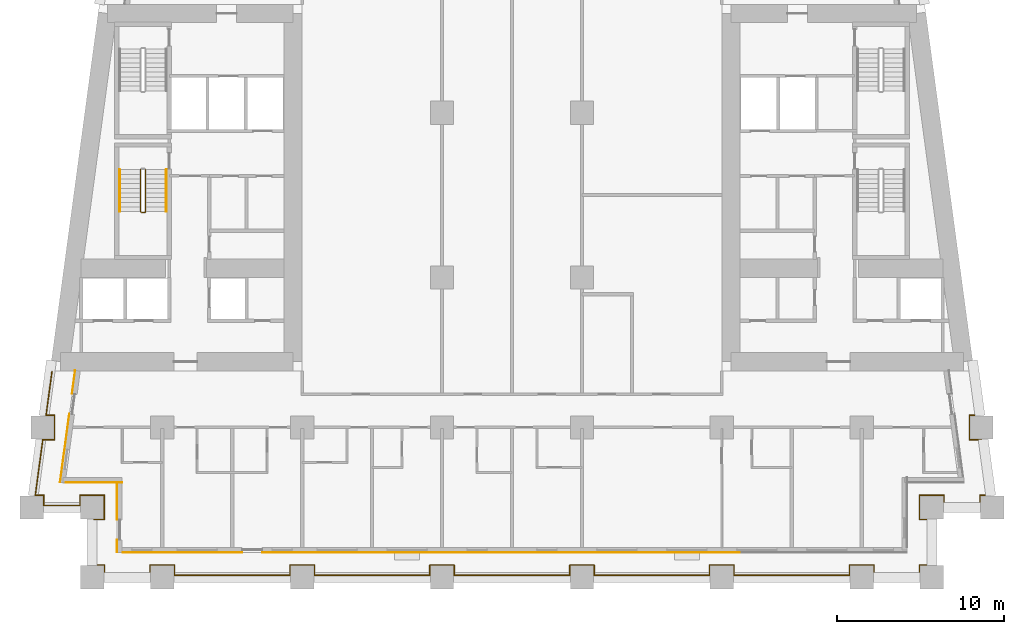
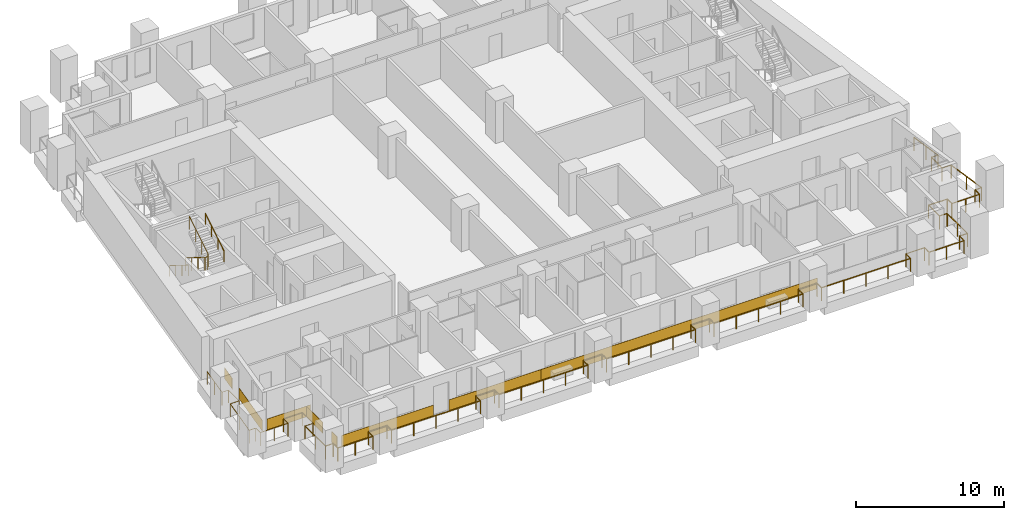
# One storey, part 9 of 13: 8 coverings, 5 railings.
"""IFC4 building model written with IfcOpenShell, lengths in metres."""

from ifc_helpers import new_model, si_unit, direction, frame, origin, origin_2d, place, context, subcontext, project, spatial, rectangle, circle, extrude, material, layer, layer_set, type_object, element, save


model = new_model("IFC4")

# Units and contexts
model_context = context("Model", 3, precision=1e-05, world=origin(), true_north=direction((0.0, 1.0)))
body_context = subcontext(model_context, "Body", "Model", "MODEL_VIEW")
ifc_project = project(units=[si_unit("LENGTHUNIT", "METRE"), si_unit("AREAUNIT", "SQUARE_METRE"), si_unit("VOLUMEUNIT", "CUBIC_METRE"), si_unit("PLANEANGLEUNIT", "RADIAN"), si_unit("MASSUNIT", "GRAM", prefix="KILO")], contexts=[model_context])

# Site, building, storey
site_placement = place(None, origin())
site = spatial("IfcSite", under=ifc_project, at=site_placement, CompositionType="ELEMENT")
building_placement = place(site_placement, origin())
building = spatial("IfcBuilding", under=site, at=building_placement, Name="Candeia Pilgrim Tower and Theatre", CompositionType="ELEMENT")
storey_placement = place(building_placement, frame((0.0, 0.0, 70.5)))
storey = spatial("IfcBuildingStorey", under=building, at=storey_placement, Name="L15", CompositionType="ELEMENT", Elevation=70.5)

# Railings
ifc_material_1 = material(Name="Stainless steel balustrade", Category="steel")
railing_type_1 = type_object("IfcRailingType", Name="G1 loggia guard 1100", PredefinedType="GUARDRAIL", material=ifc_material_1)
railing_1_placement = place(storey_placement, frame((88.320068359375, 101.469970703125, 0.0)))
element("IfcRailing", 1, at=railing_1_placement, inside=storey, type_object=railing_type_1, Name="Guard L15.1", PredefinedType="GUARDRAIL", context=body_context, shape_type="SweptSolid", body=[
    extrude(circle(Radius=0.02392578125, at=origin_2d()), frame((0.0, 0.0, 1.076171875), z_axis=(1.0, 0.0, 0.0), x_axis=(0.0, 1.0, 0.0)), (0.0, 0.0, 1.0), 0.60986328125),
    extrude(circle(Radius=0.02392578125, at=origin_2d()), frame((0.60986328125, 0.0, 1.076171875), z_axis=(0.0, 1.0, 0.0), x_axis=(-1.0, 0.0, 0.0)), (0.0, 0.0, 1.0), 1.4599609375),
    extrude(circle(Radius=0.02392578125, at=origin_2d()), frame((0.60986328125, 1.4599609375, 1.076171875), z_axis=(-1.0, 0.0, 0.0), x_axis=(0.0, -1.0, 0.0)), (0.0, 0.0, 1.0), 1.4599609375),
    extrude(circle(Radius=0.02392578125, at=origin_2d()), frame((-0.85009765625, 1.4599609375, 1.076171875), z_axis=(0.0, -1.0, 0.0), x_axis=(1.0, 0.0, 0.0)), (0.0, 0.0, 1.0), 0.60986328125),
    extrude(circle(Radius=0.02392578125, at=origin_2d()), frame((-0.85009765625, 0.85009765625, 1.076171875), z_axis=(-1.0, 0.0, 0.0), x_axis=(0.0, -1.0, 0.0)), (0.0, 0.0, 1.0), 2.174560546875),
    extrude(circle(Radius=0.02392578125, at=origin_2d()), frame((-3.024658203125, 0.85009765625, 1.076171875), z_axis=(0.0, 1.0, 0.0), x_axis=(-1.0, 0.0, 0.0)), (0.0, 0.0, 1.0), 0.60986328125),
    extrude(circle(Radius=0.02392578125, at=origin_2d()), frame((-3.024658203125, 1.4599609375, 1.076171875), z_axis=(-1.0, 0.0, 0.0), x_axis=(0.0, -1.0, 0.0)), (0.0, 0.0, 1.0), 0.5107421875),
    extrude(circle(Radius=0.02392578125, at=origin_2d()), frame((-3.535400390625, 1.4599609375, 1.076171875), z_axis=(0.133435273035, 0.991057530071, 0.0), x_axis=(-0.991057530071, 0.133435273035, 0.0)), (0.0, 0.0, 1.0), 3.3701171875),
    extrude(circle(Radius=0.02392578125, at=origin_2d()), frame((-3.085693359375, 4.800048828125, 1.076171875), z_axis=(1.0, 0.0, 0.0), x_axis=(0.0, 1.0, 0.0)), (0.0, 0.0, 1.0), 0.707275390625),
    extrude(circle(Radius=0.02392578125, at=origin_2d()), frame((-2.37841796875, 4.800048828125, 1.076171875), z_axis=(0.0, 1.0, 0.0), x_axis=(-1.0, 0.0, 0.0)), (0.0, 0.0, 1.0), 1.4599609375),
    extrude(circle(Radius=0.02392578125, at=origin_2d()), frame((-2.37841796875, 6.260009765625, 1.076171875), z_axis=(-1.0, 0.0, 0.0), x_axis=(0.0, -1.0, 0.0)), (0.0, 0.0, 1.0), 0.5107421875),
    extrude(circle(Radius=0.02392578125, at=origin_2d()), frame((-2.88916015625, 6.260009765625, 1.076171875), z_axis=(0.133439920495, 0.991056904329, 0.0), x_axis=(-0.991056904329, 0.133439920495, 0.0)), (0.0, 0.0, 1.0), 2.643798828125),
    extrude(circle(Radius=0.02099609375, at=origin_2d()), origin(), (0.0, 0.0, 1.0), 1.052001953125),
    extrude(circle(Radius=0.02099609375, at=origin_2d()), frame((0.60986328125, 0.0, 0.0)), (0.0, 0.0, 1.0), 1.052001953125),
    extrude(circle(Radius=0.02099609375, at=origin_2d()), frame((0.60986328125, 1.4599609375, 0.0)), (0.0, 0.0, 1.0), 1.052001953125),
    extrude(circle(Radius=0.02099609375, at=origin_2d()), frame((-0.85009765625, 1.4599609375, 0.0)), (0.0, 0.0, 1.0), 1.052001953125),
    extrude(circle(Radius=0.02099609375, at=origin_2d()), frame((-0.85009765625, 0.85009765625, 0.0)), (0.0, 0.0, 1.0), 1.052001953125),
    extrude(circle(Radius=0.02099609375, at=origin_2d()), frame((-1.9375, 0.85009765625, 0.0)), (0.0, 0.0, 1.0), 1.052001953125),
    extrude(circle(Radius=0.02099609375, at=origin_2d()), frame((-3.024658203125, 0.85009765625, 0.0)), (0.0, 0.0, 1.0), 1.052001953125),
    extrude(circle(Radius=0.02099609375, at=origin_2d()), frame((-3.024658203125, 1.4599609375, 0.0)), (0.0, 0.0, 1.0), 1.052001953125),
    extrude(circle(Radius=0.02099609375, at=origin_2d()), frame((-3.535400390625, 1.4599609375, 0.0)), (0.0, 0.0, 1.0), 1.052001953125),
    extrude(circle(Radius=0.02099609375, at=origin_2d()), frame((-3.310546875, 3.1298828125, 0.0)), (0.0, 0.0, 1.0), 1.052001953125),
    extrude(circle(Radius=0.02099609375, at=origin_2d()), frame((-3.085693359375, 4.800048828125, 0.0)), (0.0, 0.0, 1.0), 1.052001953125),
    extrude(circle(Radius=0.02099609375, at=origin_2d()), frame((-2.37841796875, 4.800048828125, 0.0)), (0.0, 0.0, 1.0), 1.052001953125),
    extrude(circle(Radius=0.02099609375, at=origin_2d()), frame((-2.37841796875, 6.260009765625, 0.0)), (0.0, 0.0, 1.0), 1.052001953125),
    extrude(circle(Radius=0.02099609375, at=origin_2d()), frame((-2.88916015625, 6.260009765625, 0.0)), (0.0, 0.0, 1.0), 1.052001953125),
    extrude(circle(Radius=0.02099609375, at=origin_2d()), frame((-2.712890625, 7.570068359375, 0.0)), (0.0, 0.0, 1.0), 1.052001953125),
    extrude(circle(Radius=0.02099609375, at=origin_2d()), frame((-2.536376953125, 8.880126953125, 0.0)), (0.0, 0.0, 1.0), 1.052001953125),
])
railing_2_placement = place(storey_placement, frame((141.016357421875, 110.35009765625, 0.0)))
element("IfcRailing", 2, at=railing_2_placement, inside=storey, type_object=railing_type_1, Name="Guard L15.4", PredefinedType="GUARDRAIL", context=body_context, shape_type="SweptSolid", body=[
    extrude(circle(Radius=0.02392578125, at=origin_2d()), frame((0.0, 0.0, 1.076171875), z_axis=(0.133439920495, -0.991056904329, 0.0), x_axis=(0.991056904329, 0.133439920495, 0.0)), (0.0, 0.0, 1.0), 2.643798828125),
    extrude(circle(Radius=0.02392578125, at=origin_2d()), frame((0.352783203125, -2.6201171875, 1.076171875), z_axis=(-1.0, 0.0, 0.0), x_axis=(0.0, -1.0, 0.0)), (0.0, 0.0, 1.0), 0.5107421875),
    extrude(circle(Radius=0.02392578125, at=origin_2d()), frame((-0.157958984375, -2.6201171875, 1.076171875), z_axis=(0.0, -1.0, 0.0), x_axis=(1.0, 0.0, 0.0)), (0.0, 0.0, 1.0), 1.4599609375),
    extrude(circle(Radius=0.02392578125, at=origin_2d()), frame((-0.157958984375, -4.080078125, 1.076171875), z_axis=(1.0, 0.0, 0.0), x_axis=(0.0, 1.0, 0.0)), (0.0, 0.0, 1.0), 0.707275390625),
    extrude(circle(Radius=0.02392578125, at=origin_2d()), frame((0.54931640625, -4.080078125, 1.076171875), z_axis=(0.133435273035, -0.991057530071, 0.0), x_axis=(0.991057530071, 0.133435273035, 0.0)), (0.0, 0.0, 1.0), 3.3701171875),
    extrude(circle(Radius=0.02392578125, at=origin_2d()), frame((0.9990234375, -7.420166015625, 1.076171875), z_axis=(-1.0, 0.0, 0.0), x_axis=(0.0, -1.0, 0.0)), (0.0, 0.0, 1.0), 0.5107421875),
    extrude(circle(Radius=0.02392578125, at=origin_2d()), frame((0.48828125, -7.420166015625, 1.076171875), z_axis=(0.0, -1.0, 0.0), x_axis=(1.0, 0.0, 0.0)), (0.0, 0.0, 1.0), 0.60986328125),
    extrude(circle(Radius=0.02392578125, at=origin_2d()), frame((0.48828125, -8.030029296875, 1.076171875), z_axis=(-1.0, 0.0, 0.0), x_axis=(0.0, -1.0, 0.0)), (0.0, 0.0, 1.0), 2.174560546875),
    extrude(circle(Radius=0.02392578125, at=origin_2d()), frame((-1.686279296875, -8.030029296875, 1.076171875), z_axis=(0.0, 1.0, 0.0), x_axis=(-1.0, 0.0, 0.0)), (0.0, 0.0, 1.0), 0.60986328125),
    extrude(circle(Radius=0.02392578125, at=origin_2d()), frame((-1.686279296875, -7.420166015625, 1.076171875), z_axis=(-1.0, 0.0, 0.0), x_axis=(0.0, -1.0, 0.0)), (0.0, 0.0, 1.0), 1.4599609375),
    extrude(circle(Radius=0.02392578125, at=origin_2d()), frame((-3.146240234375, -7.420166015625, 1.076171875), z_axis=(0.0, -1.0, 0.0), x_axis=(1.0, 0.0, 0.0)), (0.0, 0.0, 1.0), 1.4599609375),
    extrude(circle(Radius=0.02392578125, at=origin_2d()), frame((-3.146240234375, -8.880126953125, 1.076171875), z_axis=(1.0, 0.0, 0.0), x_axis=(0.0, 1.0, 0.0)), (0.0, 0.0, 1.0), 0.60986328125),
    extrude(circle(Radius=0.02392578125, at=origin_2d()), frame((-2.536376953125, -8.880126953125, 1.076171875), z_axis=(0.0, -1.0, 0.0), x_axis=(1.0, 0.0, 0.0)), (0.0, 0.0, 1.0), 2.739990234375),
    extrude(circle(Radius=0.02392578125, at=origin_2d()), frame((-2.536376953125, -11.6201171875, 1.076171875), z_axis=(-1.0, 0.0, 0.0), x_axis=(0.0, -1.0, 0.0)), (0.0, 0.0, 1.0), 0.60986328125),
    extrude(circle(Radius=0.02392578125, at=origin_2d()), frame((-3.146240234375, -11.6201171875, 1.076171875), z_axis=(0.0, -1.0, 0.0), x_axis=(1.0, 0.0, 0.0)), (0.0, 0.0, 1.0), 0.60986328125),
    extrude(circle(Radius=0.02392578125, at=origin_2d()), frame((-3.146240234375, -12.22998046875, 1.076171875), z_axis=(-1.0, 0.0, 0.0), x_axis=(0.0, -1.0, 0.0)), (0.0, 0.0, 1.0), 2.740234375),
    extrude(circle(Radius=0.02392578125, at=origin_2d()), frame((-5.886474609375, -12.22998046875, 1.076171875), z_axis=(0.0, 1.0, 0.0), x_axis=(-1.0, 0.0, 0.0)), (0.0, 0.0, 1.0), 0.60986328125),
    extrude(circle(Radius=0.02392578125, at=origin_2d()), frame((-5.886474609375, -11.6201171875, 1.076171875), z_axis=(-1.0, 0.0, 0.0), x_axis=(0.0, -1.0, 0.0)), (0.0, 0.0, 1.0), 1.4599609375),
    extrude(circle(Radius=0.02392578125, at=origin_2d()), frame((-7.346435546875, -11.6201171875, 1.076171875), z_axis=(0.0, -1.0, 0.0), x_axis=(1.0, 0.0, 0.0)), (0.0, 0.0, 1.0), 0.60986328125),
    extrude(circle(Radius=0.02392578125, at=origin_2d()), frame((-7.346435546875, -12.22998046875, 1.076171875), z_axis=(-1.0, 0.0, 0.0), x_axis=(0.0, -1.0, 0.0)), (0.0, 0.0, 1.0), 6.93994140625),
    extrude(circle(Radius=0.02392578125, at=origin_2d()), frame((-14.286376953125, -12.22998046875, 1.076171875), z_axis=(0.0, 1.0, 0.0), x_axis=(-1.0, 0.0, 0.0)), (0.0, 0.0, 1.0), 0.60986328125),
    extrude(circle(Radius=0.02392578125, at=origin_2d()), frame((-14.286376953125, -11.6201171875, 1.076171875), z_axis=(-1.0, 0.0, 0.0), x_axis=(0.0, -1.0, 0.0)), (0.0, 0.0, 1.0), 1.4599609375),
    extrude(circle(Radius=0.02392578125, at=origin_2d()), frame((-15.746337890625, -11.6201171875, 1.076171875), z_axis=(0.0, -1.0, 0.0), x_axis=(1.0, 0.0, 0.0)), (0.0, 0.0, 1.0), 0.60986328125),
    extrude(circle(Radius=0.02392578125, at=origin_2d()), frame((-15.746337890625, -12.22998046875, 1.076171875), z_axis=(-1.0, 0.0, 0.0), x_axis=(0.0, -1.0, 0.0)), (0.0, 0.0, 1.0), 6.93994140625),
    extrude(circle(Radius=0.02392578125, at=origin_2d()), frame((-22.686279296875, -12.22998046875, 1.076171875), z_axis=(0.0, 1.0, 0.0), x_axis=(-1.0, 0.0, 0.0)), (0.0, 0.0, 1.0), 0.60986328125),
    extrude(circle(Radius=0.02392578125, at=origin_2d()), frame((-22.686279296875, -11.6201171875, 1.076171875), z_axis=(-1.0, 0.0, 0.0), x_axis=(0.0, -1.0, 0.0)), (0.0, 0.0, 1.0), 1.4599609375),
    extrude(circle(Radius=0.02392578125, at=origin_2d()), frame((-24.146240234375, -11.6201171875, 1.076171875), z_axis=(0.0, -1.0, 0.0), x_axis=(1.0, 0.0, 0.0)), (0.0, 0.0, 1.0), 0.60986328125),
    extrude(circle(Radius=0.02392578125, at=origin_2d()), frame((-24.146240234375, -12.22998046875, 1.076171875), z_axis=(-1.0, 0.0, 0.0), x_axis=(0.0, -1.0, 0.0)), (0.0, 0.0, 1.0), 6.940185546875),
    extrude(circle(Radius=0.02392578125, at=origin_2d()), frame((-31.08642578125, -12.22998046875, 1.076171875), z_axis=(0.0, 1.0, 0.0), x_axis=(-1.0, 0.0, 0.0)), (0.0, 0.0, 1.0), 0.60986328125),
    extrude(circle(Radius=0.02392578125, at=origin_2d()), frame((-31.08642578125, -11.6201171875, 1.076171875), z_axis=(-1.0, 0.0, 0.0), x_axis=(0.0, -1.0, 0.0)), (0.0, 0.0, 1.0), 1.4599609375),
    extrude(circle(Radius=0.02392578125, at=origin_2d()), frame((-32.54638671875, -11.6201171875, 1.076171875), z_axis=(0.0, -1.0, 0.0), x_axis=(1.0, 0.0, 0.0)), (0.0, 0.0, 1.0), 0.60986328125),
    extrude(circle(Radius=0.02392578125, at=origin_2d()), frame((-32.54638671875, -12.22998046875, 1.076171875), z_axis=(-1.0, 0.0, 0.0), x_axis=(0.0, -1.0, 0.0)), (0.0, 0.0, 1.0), 6.93994140625),
    extrude(circle(Radius=0.02392578125, at=origin_2d()), frame((-39.486328125, -12.22998046875, 1.076171875), z_axis=(0.0, 1.0, 0.0), x_axis=(-1.0, 0.0, 0.0)), (0.0, 0.0, 1.0), 0.60986328125),
    extrude(circle(Radius=0.02392578125, at=origin_2d()), frame((-39.486328125, -11.6201171875, 1.076171875), z_axis=(-1.0, 0.0, 0.0), x_axis=(0.0, -1.0, 0.0)), (0.0, 0.0, 1.0), 1.4599609375),
    extrude(circle(Radius=0.02392578125, at=origin_2d()), frame((-40.9462890625, -11.6201171875, 1.076171875), z_axis=(0.0, -1.0, 0.0), x_axis=(1.0, 0.0, 0.0)), (0.0, 0.0, 1.0), 0.60986328125),
    extrude(circle(Radius=0.02392578125, at=origin_2d()), frame((-40.9462890625, -12.22998046875, 1.076171875), z_axis=(-1.0, 0.0, 0.0), x_axis=(0.0, -1.0, 0.0)), (0.0, 0.0, 1.0), 6.940185546875),
    extrude(circle(Radius=0.02392578125, at=origin_2d()), frame((-47.886474609375, -12.22998046875, 1.076171875), z_axis=(0.0, 1.0, 0.0), x_axis=(-1.0, 0.0, 0.0)), (0.0, 0.0, 1.0), 0.60986328125),
    extrude(circle(Radius=0.02392578125, at=origin_2d()), frame((-47.886474609375, -11.6201171875, 1.076171875), z_axis=(-1.0, 0.0, 0.0), x_axis=(0.0, -1.0, 0.0)), (0.0, 0.0, 1.0), 1.4599609375),
    extrude(circle(Radius=0.02392578125, at=origin_2d()), frame((-49.346435546875, -11.6201171875, 1.076171875), z_axis=(0.0, -1.0, 0.0), x_axis=(1.0, 0.0, 0.0)), (0.0, 0.0, 1.0), 0.60986328125),
    extrude(circle(Radius=0.02392578125, at=origin_2d()), frame((-49.346435546875, -12.22998046875, 1.076171875), z_axis=(-1.0, 0.0, 0.0), x_axis=(0.0, -1.0, 0.0)), (0.0, 0.0, 1.0), 2.739990234375),
    extrude(circle(Radius=0.02392578125, at=origin_2d()), frame((-52.08642578125, -12.22998046875, 1.076171875), z_axis=(0.0, 1.0, 0.0), x_axis=(-1.0, 0.0, 0.0)), (0.0, 0.0, 1.0), 0.60986328125),
    extrude(circle(Radius=0.02392578125, at=origin_2d()), frame((-52.08642578125, -11.6201171875, 1.076171875), z_axis=(-1.0, 0.0, 0.0), x_axis=(0.0, -1.0, 0.0)), (0.0, 0.0, 1.0), 0.60986328125),
    extrude(circle(Radius=0.02392578125, at=origin_2d()), frame((-52.6962890625, -11.6201171875, 1.076171875), z_axis=(0.0, 1.0, 0.0), x_axis=(-1.0, 0.0, 0.0)), (0.0, 0.0, 1.0), 2.739990234375),
    extrude(circle(Radius=0.02099609375, at=origin_2d()), origin(), (0.0, 0.0, 1.0), 1.052001953125),
    extrude(circle(Radius=0.02099609375, at=origin_2d()), frame((0.17626953125, -1.31005859375, 0.0)), (0.0, 0.0, 1.0), 1.052001953125),
    extrude(circle(Radius=0.02099609375, at=origin_2d()), frame((0.352783203125, -2.6201171875, 0.0)), (0.0, 0.0, 1.0), 1.052001953125),
    extrude(circle(Radius=0.02099609375, at=origin_2d()), frame((-0.157958984375, -2.6201171875, 0.0)), (0.0, 0.0, 1.0), 1.052001953125),
    extrude(circle(Radius=0.02099609375, at=origin_2d()), frame((-0.157958984375, -4.080078125, 0.0)), (0.0, 0.0, 1.0), 1.052001953125),
    extrude(circle(Radius=0.02099609375, at=origin_2d()), frame((0.54931640625, -4.080078125, 0.0)), (0.0, 0.0, 1.0), 1.052001953125),
    extrude(circle(Radius=0.02099609375, at=origin_2d()), frame((0.774169921875, -5.75, 0.0)), (0.0, 0.0, 1.0), 1.052001953125),
    extrude(circle(Radius=0.02099609375, at=origin_2d()), frame((0.9990234375, -7.420166015625, 0.0)), (0.0, 0.0, 1.0), 1.052001953125),
    extrude(circle(Radius=0.02099609375, at=origin_2d()), frame((0.48828125, -7.420166015625, 0.0)), (0.0, 0.0, 1.0), 1.052001953125),
    extrude(circle(Radius=0.02099609375, at=origin_2d()), frame((0.48828125, -8.030029296875, 0.0)), (0.0, 0.0, 1.0), 1.052001953125),
    extrude(circle(Radius=0.02099609375, at=origin_2d()), frame((-0.59912109375, -8.030029296875, 0.0)), (0.0, 0.0, 1.0), 1.052001953125),
    extrude(circle(Radius=0.02099609375, at=origin_2d()), frame((-1.686279296875, -8.030029296875, 0.0)), (0.0, 0.0, 1.0), 1.052001953125),
    extrude(circle(Radius=0.02099609375, at=origin_2d()), frame((-1.686279296875, -7.420166015625, 0.0)), (0.0, 0.0, 1.0), 1.052001953125),
    extrude(circle(Radius=0.02099609375, at=origin_2d()), frame((-3.146240234375, -7.420166015625, 0.0)), (0.0, 0.0, 1.0), 1.052001953125),
    extrude(circle(Radius=0.02099609375, at=origin_2d()), frame((-3.146240234375, -8.880126953125, 0.0)), (0.0, 0.0, 1.0), 1.052001953125),
    extrude(circle(Radius=0.02099609375, at=origin_2d()), frame((-2.536376953125, -8.880126953125, 0.0)), (0.0, 0.0, 1.0), 1.052001953125),
    extrude(circle(Radius=0.02099609375, at=origin_2d()), frame((-2.536376953125, -10.25, 0.0)), (0.0, 0.0, 1.0), 1.052001953125),
    extrude(circle(Radius=0.02099609375, at=origin_2d()), frame((-2.536376953125, -11.6201171875, 0.0)), (0.0, 0.0, 1.0), 1.052001953125),
    extrude(circle(Radius=0.02099609375, at=origin_2d()), frame((-3.146240234375, -11.6201171875, 0.0)), (0.0, 0.0, 1.0), 1.052001953125),
    extrude(circle(Radius=0.02099609375, at=origin_2d()), frame((-3.146240234375, -12.22998046875, 0.0)), (0.0, 0.0, 1.0), 1.052001953125),
    extrude(circle(Radius=0.02099609375, at=origin_2d()), frame((-4.516357421875, -12.22998046875, 0.0)), (0.0, 0.0, 1.0), 1.052001953125),
    extrude(circle(Radius=0.02099609375, at=origin_2d()), frame((-5.886474609375, -12.22998046875, 0.0)), (0.0, 0.0, 1.0), 1.052001953125),
    extrude(circle(Radius=0.02099609375, at=origin_2d()), frame((-5.886474609375, -11.6201171875, 0.0)), (0.0, 0.0, 1.0), 1.052001953125),
    extrude(circle(Radius=0.02099609375, at=origin_2d()), frame((-7.346435546875, -11.6201171875, 0.0)), (0.0, 0.0, 1.0), 1.052001953125),
    extrude(circle(Radius=0.02099609375, at=origin_2d()), frame((-7.346435546875, -12.22998046875, 0.0)), (0.0, 0.0, 1.0), 1.052001953125),
    extrude(circle(Radius=0.02099609375, at=origin_2d()), frame((-9.08154296875, -12.22998046875, 0.0)), (0.0, 0.0, 1.0), 1.052001953125),
    extrude(circle(Radius=0.02099609375, at=origin_2d()), frame((-10.81640625, -12.22998046875, 0.0)), (0.0, 0.0, 1.0), 1.052001953125),
    extrude(circle(Radius=0.02099609375, at=origin_2d()), frame((-12.55126953125, -12.22998046875, 0.0)), (0.0, 0.0, 1.0), 1.052001953125),
    extrude(circle(Radius=0.02099609375, at=origin_2d()), frame((-14.286376953125, -12.22998046875, 0.0)), (0.0, 0.0, 1.0), 1.052001953125),
    extrude(circle(Radius=0.02099609375, at=origin_2d()), frame((-14.286376953125, -11.6201171875, 0.0)), (0.0, 0.0, 1.0), 1.052001953125),
    extrude(circle(Radius=0.02099609375, at=origin_2d()), frame((-15.746337890625, -11.6201171875, 0.0)), (0.0, 0.0, 1.0), 1.052001953125),
    extrude(circle(Radius=0.02099609375, at=origin_2d()), frame((-15.746337890625, -12.22998046875, 0.0)), (0.0, 0.0, 1.0), 1.052001953125),
    extrude(circle(Radius=0.02099609375, at=origin_2d()), frame((-17.4814453125, -12.22998046875, 0.0)), (0.0, 0.0, 1.0), 1.052001953125),
    extrude(circle(Radius=0.02099609375, at=origin_2d()), frame((-19.21630859375, -12.22998046875, 0.0)), (0.0, 0.0, 1.0), 1.052001953125),
    extrude(circle(Radius=0.02099609375, at=origin_2d()), frame((-20.951171875, -12.22998046875, 0.0)), (0.0, 0.0, 1.0), 1.052001953125),
    extrude(circle(Radius=0.02099609375, at=origin_2d()), frame((-22.686279296875, -12.22998046875, 0.0)), (0.0, 0.0, 1.0), 1.052001953125),
    extrude(circle(Radius=0.02099609375, at=origin_2d()), frame((-22.686279296875, -11.6201171875, 0.0)), (0.0, 0.0, 1.0), 1.052001953125),
    extrude(circle(Radius=0.02099609375, at=origin_2d()), frame((-24.146240234375, -11.6201171875, 0.0)), (0.0, 0.0, 1.0), 1.052001953125),
    extrude(circle(Radius=0.02099609375, at=origin_2d()), frame((-24.146240234375, -12.22998046875, 0.0)), (0.0, 0.0, 1.0), 1.052001953125),
    extrude(circle(Radius=0.02099609375, at=origin_2d()), frame((-25.88134765625, -12.22998046875, 0.0)), (0.0, 0.0, 1.0), 1.052001953125),
    extrude(circle(Radius=0.02099609375, at=origin_2d()), frame((-27.6162109375, -12.22998046875, 0.0)), (0.0, 0.0, 1.0), 1.052001953125),
    extrude(circle(Radius=0.02099609375, at=origin_2d()), frame((-29.351318359375, -12.22998046875, 0.0)), (0.0, 0.0, 1.0), 1.052001953125),
    extrude(circle(Radius=0.02099609375, at=origin_2d()), frame((-31.08642578125, -12.22998046875, 0.0)), (0.0, 0.0, 1.0), 1.052001953125),
    extrude(circle(Radius=0.02099609375, at=origin_2d()), frame((-31.08642578125, -11.6201171875, 0.0)), (0.0, 0.0, 1.0), 1.052001953125),
    extrude(circle(Radius=0.02099609375, at=origin_2d()), frame((-32.54638671875, -11.6201171875, 0.0)), (0.0, 0.0, 1.0), 1.052001953125),
    extrude(circle(Radius=0.02099609375, at=origin_2d()), frame((-32.54638671875, -12.22998046875, 0.0)), (0.0, 0.0, 1.0), 1.052001953125),
    extrude(circle(Radius=0.02099609375, at=origin_2d()), frame((-34.28125, -12.22998046875, 0.0)), (0.0, 0.0, 1.0), 1.052001953125),
    extrude(circle(Radius=0.02099609375, at=origin_2d()), frame((-36.016357421875, -12.22998046875, 0.0)), (0.0, 0.0, 1.0), 1.052001953125),
    extrude(circle(Radius=0.02099609375, at=origin_2d()), frame((-37.75146484375, -12.22998046875, 0.0)), (0.0, 0.0, 1.0), 1.052001953125),
    extrude(circle(Radius=0.02099609375, at=origin_2d()), frame((-39.486328125, -12.22998046875, 0.0)), (0.0, 0.0, 1.0), 1.052001953125),
    extrude(circle(Radius=0.02099609375, at=origin_2d()), frame((-39.486328125, -11.6201171875, 0.0)), (0.0, 0.0, 1.0), 1.052001953125),
    extrude(circle(Radius=0.02099609375, at=origin_2d()), frame((-40.9462890625, -11.6201171875, 0.0)), (0.0, 0.0, 1.0), 1.052001953125),
    extrude(circle(Radius=0.02099609375, at=origin_2d()), frame((-40.9462890625, -12.22998046875, 0.0)), (0.0, 0.0, 1.0), 1.052001953125),
    extrude(circle(Radius=0.02099609375, at=origin_2d()), frame((-42.681396484375, -12.22998046875, 0.0)), (0.0, 0.0, 1.0), 1.052001953125),
    extrude(circle(Radius=0.02099609375, at=origin_2d()), frame((-44.41650390625, -12.22998046875, 0.0)), (0.0, 0.0, 1.0), 1.052001953125),
    extrude(circle(Radius=0.02099609375, at=origin_2d()), frame((-46.1513671875, -12.22998046875, 0.0)), (0.0, 0.0, 1.0), 1.052001953125),
    extrude(circle(Radius=0.02099609375, at=origin_2d()), frame((-47.886474609375, -12.22998046875, 0.0)), (0.0, 0.0, 1.0), 1.052001953125),
    extrude(circle(Radius=0.02099609375, at=origin_2d()), frame((-47.886474609375, -11.6201171875, 0.0)), (0.0, 0.0, 1.0), 1.052001953125),
    extrude(circle(Radius=0.02099609375, at=origin_2d()), frame((-49.346435546875, -11.6201171875, 0.0)), (0.0, 0.0, 1.0), 1.052001953125),
    extrude(circle(Radius=0.02099609375, at=origin_2d()), frame((-49.346435546875, -12.22998046875, 0.0)), (0.0, 0.0, 1.0), 1.052001953125),
    extrude(circle(Radius=0.02099609375, at=origin_2d()), frame((-50.71630859375, -12.22998046875, 0.0)), (0.0, 0.0, 1.0), 1.052001953125),
    extrude(circle(Radius=0.02099609375, at=origin_2d()), frame((-52.08642578125, -12.22998046875, 0.0)), (0.0, 0.0, 1.0), 1.052001953125),
    extrude(circle(Radius=0.02099609375, at=origin_2d()), frame((-52.08642578125, -11.6201171875, 0.0)), (0.0, 0.0, 1.0), 1.052001953125),
    extrude(circle(Radius=0.02099609375, at=origin_2d()), frame((-52.6962890625, -11.6201171875, 0.0)), (0.0, 0.0, 1.0), 1.052001953125),
    extrude(circle(Radius=0.02099609375, at=origin_2d()), frame((-52.6962890625, -10.25, 0.0)), (0.0, 0.0, 1.0), 1.052001953125),
    extrude(circle(Radius=0.02099609375, at=origin_2d()), frame((-52.6962890625, -8.880126953125, 0.0)), (0.0, 0.0, 1.0), 1.052001953125),
])

# Coverings
ifc_material_2 = material(Name="Glazed ceramic tile deep red")
ifc_layer_1 = layer(ifc_material_2, 0.02001953125)
ifc_layer_set_1 = layer_set([ifc_layer_1], Name="Glazed ceramic tile deep red")
covering_type_1 = type_object("IfcCoveringType", Name="Glazed ceramic tile deep red", PredefinedType="CLADDING", material=ifc_layer_set_1)
covering_1_placement = place(storey_placement, frame((93.610107421875, 99.489990234375, 0.0), z_axis=(0.0, 0.0, 1.0), x_axis=(1.0, 0.0, 0.0)))
element("IfcCovering", 3, at=covering_1_placement, inside=storey, type_object=covering_type_1, Name="Tile cladding deep red L15", PredefinedType="CLADDING", context=body_context, shape_type="SweptSolid", body=[
    extrude(rectangle(XDim=7.179931640625, YDim=0.02001953125, at=origin_2d()), origin(), (0.0, 0.0, 1.0), 0.89990234375),
])
covering_2_placement = place(storey_placement, frame((102.0, 99.489990234375, 0.0), z_axis=(0.0, 0.0, 1.0), x_axis=(1.0, 0.0, 0.0)))
element("IfcCovering", 4, at=covering_2_placement, inside=storey, type_object=covering_type_1, Name="Tile cladding deep red L15", PredefinedType="CLADDING", context=body_context, shape_type="SweptSolid", body=[
    extrude(rectangle(XDim=7.199951171875, YDim=0.02001953125, at=origin_2d()), origin(), (0.0, 0.0, 1.0), 0.89990234375),
])
covering_3_placement = place(storey_placement, frame((87.0810546875, 109.71875, 0.0), z_axis=(0.0, 0.0, 1.0), x_axis=(-0.133412012145, -0.991060661622, 0.0)))
element("IfcCovering", 5, at=covering_3_placement, inside=storey, type_object=covering_type_1, Name="Tile cladding deep red L15", PredefinedType="CLADDING", context=body_context, shape_type="SweptSolid", body=[
    extrude(rectangle(XDim=1.41796875, YDim=0.02001953125, at=origin_2d()), origin(), (0.0, 0.0, 1.0), 0.89990234375),
])
covering_4_placement = place(storey_placement, frame((86.548583984375, 105.763916015625, 0.0), z_axis=(0.0, 0.0, 1.0), x_axis=(-0.133412012145, -0.991060661622, 0.0)))
element("IfcCovering", 6, at=covering_4_placement, inside=storey, type_object=covering_type_1, Name="Tile cladding deep red L15", PredefinedType="CLADDING", context=body_context, shape_type="SweptSolid", body=[
    extrude(rectangle(XDim=4.16259765625, YDim=0.02001953125, at=origin_2d()), origin(), (0.0, 0.0, 1.0), 0.89990234375),
])
covering_5_placement = place(storey_placement, frame((88.311279296875, 103.68994140625, 0.0), z_axis=(0.0, 0.0, 1.0), x_axis=(1.0, 0.0, 0.0)))
element("IfcCovering", 7, at=covering_5_placement, inside=storey, type_object=covering_type_1, Name="Tile cladding deep red L15", PredefinedType="CLADDING", context=body_context, shape_type="SweptSolid", body=[
    extrude(rectangle(XDim=3.377685546875, YDim=0.02001953125, at=origin_2d()), origin(), (0.0, 0.0, 1.0), 0.89990234375),
])
covering_6_placement = place(storey_placement, frame((89.68994140625, 102.56494140625, 0.0), z_axis=(0.0, 0.0, 1.0), x_axis=(0.0, -1.0, 0.0)))
element("IfcCovering", 8, at=covering_6_placement, inside=storey, type_object=covering_type_1, Name="Tile cladding deep red L15", PredefinedType="CLADDING", context=body_context, shape_type="SweptSolid", body=[
    extrude(rectangle(XDim=2.22998046875, YDim=0.02001953125, at=origin_2d()), origin(), (0.0, 0.0, 1.0), 0.89990234375),
])
covering_7_placement = place(storey_placement, frame((89.68994140625, 99.875, 0.0), z_axis=(0.0, 0.0, 1.0), x_axis=(0.0, -1.0, 0.0)))
element("IfcCovering", 9, at=covering_7_placement, inside=storey, type_object=covering_type_1, Name="Tile cladding deep red L15", PredefinedType="CLADDING", context=body_context, shape_type="SweptSolid", body=[
    extrude(rectangle(XDim=0.75, YDim=0.02001953125, at=origin_2d()), origin(), (0.0, 0.0, 1.0), 0.89990234375),
])
ifc_material_3 = material(Name="Glazed ceramic tile red")
ifc_layer_2 = layer(ifc_material_3, 0.02001953125)
ifc_layer_set_2 = layer_set([ifc_layer_2], Name="Glazed ceramic tile red")
covering_type_2 = type_object("IfcCoveringType", Name="Glazed ceramic tile red", PredefinedType="CLADDING", material=ifc_layer_set_2)
covering_8_placement = place(storey_placement, frame((116.39990234375, 99.489990234375, 0.0), z_axis=(0.0, 0.0, 1.0), x_axis=(1.0, 0.0, 0.0)))
element("IfcCovering", 10, at=covering_8_placement, inside=storey, type_object=covering_type_2, Name="Tile cladding red L15", PredefinedType="CLADDING", context=body_context, shape_type="SweptSolid", body=[
    extrude(rectangle(XDim=21.60009765625, YDim=0.02001953125, at=origin_2d()), origin(), (0.0, 0.0, 1.0), 0.89990234375),
])

# Railings
railing_type_2 = type_object("IfcRailingType", Name="RL-GUARD-1100", PredefinedType="GUARDRAIL", material=ifc_material_1)
railing_3_placement = place(storey_placement, frame((91.10205078125, 122.47509765625, 0.175048828125)))
element("IfcRailing", 11, at=railing_3_placement, inside=storey, type_object=railing_type_2, Name="L15 ST1 stair guard 1", PredefinedType="GUARDRAIL", context=body_context, shape_type="SweptSolid", body=[
    extrude(circle(Radius=0.02392578125, at=origin_2d()), frame((0.0, 0.0, 1.076171875), z_axis=(0.0, -0.848007534815, 0.529984170421), x_axis=(1.0, 0.0, 0.0)), (0.0, 0.0, 1.0), 2.9716796875),
    extrude(circle(Radius=0.02392578125, at=origin_2d()), frame((0.0, -2.52001953125, 2.65087890625), z_axis=(0.707106781187, -0.707106781187, 0.0), x_axis=(0.707106781187, 0.707106781187, 0.0)), (0.0, 0.0, 1.0), 0.07080078125),
    extrude(circle(Radius=0.02392578125, at=origin_2d()), frame((0.050048828125, -2.570068359375, 2.65087890625), z_axis=(1.0, 0.0, 0.0), x_axis=(0.0, 1.0, 0.0)), (0.0, 0.0, 1.0), 0.199951171875),
    extrude(circle(Radius=0.02392578125, at=origin_2d()), frame((0.25, -2.570068359375, 2.65087890625), z_axis=(0.265065253269, 0.265065253269, 0.927081885822), x_axis=(-0.707106781187, 0.707106781187, 0.0)), (0.0, 0.0, 1.0), 0.188720703125),
    extrude(circle(Radius=0.02392578125, at=origin_2d()), frame((0.300048828125, -2.52001953125, 2.826171875), z_axis=(0.0, 0.848007534815, 0.529984170421), x_axis=(-1.0, 0.0, 0.0)), (0.0, 0.0, 1.0), 2.9716796875),
    extrude(circle(Radius=0.02099609375, at=origin_2d()), origin(), (0.0, 0.0, 1.0), 1.052001953125),
    extrude(circle(Radius=0.02099609375, at=origin_2d()), frame((0.0, -0.840087890625, 0.52490234375)), (0.0, 0.0, 1.0), 1.052001953125),
    extrude(circle(Radius=0.02099609375, at=origin_2d()), frame((0.0, -1.679931640625, 1.050048828125)), (0.0, 0.0, 1.0), 1.052001953125),
    extrude(circle(Radius=0.02099609375, at=origin_2d()), frame((0.0, -2.52001953125, 1.574951171875)), (0.0, 0.0, 1.0), 1.052001953125),
    extrude(circle(Radius=0.02099609375, at=origin_2d()), frame((0.050048828125, -2.570068359375, 1.574951171875)), (0.0, 0.0, 1.0), 1.052001953125),
    extrude(circle(Radius=0.02099609375, at=origin_2d()), frame((0.25, -2.570068359375, 1.574951171875)), (0.0, 0.0, 1.0), 1.052001953125),
    extrude(circle(Radius=0.02099609375, at=origin_2d()), frame((0.300048828125, -2.52001953125, 1.75)), (0.0, 0.0, 1.0), 1.052001953125),
    extrude(circle(Radius=0.02099609375, at=origin_2d()), frame((0.300048828125, -1.679931640625, 2.27490234375)), (0.0, 0.0, 1.0), 1.052001953125),
    extrude(circle(Radius=0.02099609375, at=origin_2d()), frame((0.300048828125, -0.840087890625, 2.800048828125)), (0.0, 0.0, 1.0), 1.052001953125),
    extrude(circle(Radius=0.02099609375, at=origin_2d()), frame((0.300048828125, 0.0, 3.324951171875)), (0.0, 0.0, 1.0), 1.052001953125),
])
ifc_material_4 = material(Name="Stainless steel handrail", Category="steel")
railing_type_3 = type_object("IfcRailingType", Name="RL-HANDRAIL-900", PredefinedType="HANDRAIL", material=ifc_material_4)
railing_4_placement = place(storey_placement, frame((89.85205078125, 122.47509765625, 0.175048828125)))
element("IfcRailing", 12, at=railing_4_placement, inside=storey, type_object=railing_type_3, Name="L15 ST1 stair handrail 1", PredefinedType="HANDRAIL", context=body_context, shape_type="SweptSolid", body=[
    extrude(circle(Radius=0.02392578125, at=origin_2d()), frame((0.0, 0.0, 0.8759765625), z_axis=(0.0, -0.848007534815, 0.529984170421), x_axis=(1.0, 0.0, 0.0)), (0.0, 0.0, 1.0), 2.9716796875),
    extrude(circle(Radius=0.02099609375, at=origin_2d()), origin(), (0.0, 0.0, 1.0), 0.851806640625),
    extrude(circle(Radius=0.02099609375, at=origin_2d()), frame((0.0, -0.840087890625, 0.52490234375)), (0.0, 0.0, 1.0), 0.851806640625),
    extrude(circle(Radius=0.02099609375, at=origin_2d()), frame((0.0, -1.679931640625, 1.050048828125)), (0.0, 0.0, 1.0), 0.851806640625),
    extrude(circle(Radius=0.02099609375, at=origin_2d()), frame((0.0, -2.52001953125, 1.574951171875)), (0.0, 0.0, 1.0), 0.851806640625),
])
railing_5_placement = place(storey_placement, frame((92.652099609375, 119.955078125, 1.925048828125)))
element("IfcRailing", 13, at=railing_5_placement, inside=storey, type_object=railing_type_3, Name="L15 ST1 stair handrail 2", PredefinedType="HANDRAIL", context=body_context, shape_type="SweptSolid", body=[
    extrude(circle(Radius=0.02392578125, at=origin_2d()), frame((0.0, 0.0, 0.8759765625), z_axis=(0.0, 0.848007534815, 0.529984170421), x_axis=(-1.0, 0.0, 0.0)), (0.0, 0.0, 1.0), 2.9716796875),
    extrude(circle(Radius=0.02099609375, at=origin_2d()), origin(), (0.0, 0.0, 1.0), 0.851806640625),
    extrude(circle(Radius=0.02099609375, at=origin_2d()), frame((0.0, 0.840087890625, 0.52490234375)), (0.0, 0.0, 1.0), 0.851806640625),
    extrude(circle(Radius=0.02099609375, at=origin_2d()), frame((0.0, 1.679931640625, 1.050048828125)), (0.0, 0.0, 1.0), 0.851806640625),
    extrude(circle(Radius=0.02099609375, at=origin_2d()), frame((0.0, 2.52001953125, 1.574951171875)), (0.0, 0.0, 1.0), 0.851806640625),
])

save(model, "model.ifc")
